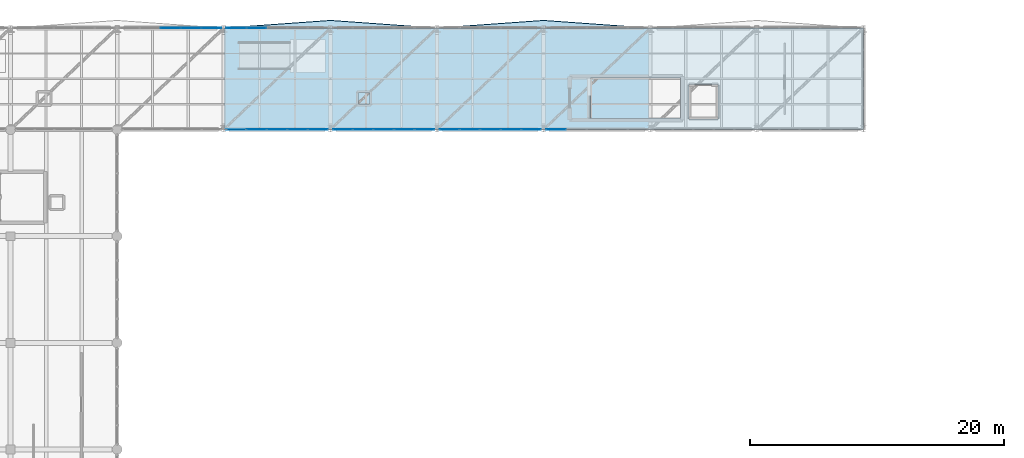
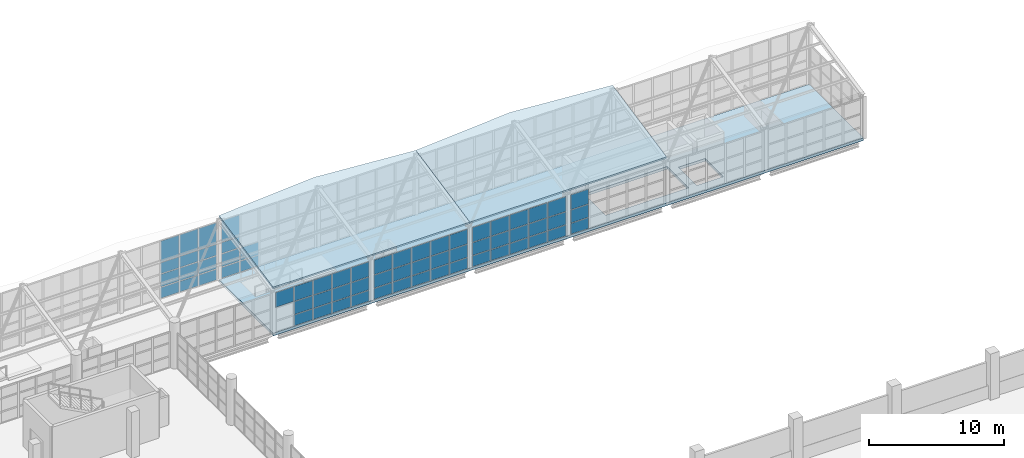
# One storey, part 137 of 177: 64 plates, 3 slabs, 6 elements without a shape of their own.
"""IFC4 building model written with IfcOpenShell, lengths in metres."""

from ifc_helpers import new_model, si_unit, direction, frame, origin, origin_2d, place, context, subcontext, project, spatial, polyline, rectangle, outline, extrude, material, layer, layer_set, type_object, element, aggregate, save


model = new_model("IFC4")

# Units and contexts
model_context = context("Model", 3, precision=1e-05, world=origin(), true_north=direction((0.0, 1.0)))
body_context = subcontext(model_context, "Body", "Model", "MODEL_VIEW")
ifc_project = project(units=[si_unit("LENGTHUNIT", "METRE"), si_unit("AREAUNIT", "SQUARE_METRE"), si_unit("VOLUMEUNIT", "CUBIC_METRE"), si_unit("PLANEANGLEUNIT", "RADIAN"), si_unit("MASSUNIT", "GRAM", prefix="KILO"), si_unit("THERMODYNAMICTEMPERATUREUNIT", "KELVIN"), si_unit("POWERUNIT", "WATT")], contexts=[model_context])

# Site, building, storey
site_placement = place(None, origin())
site = spatial("IfcSite", under=ifc_project, at=site_placement, CompositionType="ELEMENT")
building_placement = place(site_placement, origin())
building = spatial("IfcBuilding", under=site, at=building_placement, Name="Mavoryth Pier Ferry Terminal", CompositionType="ELEMENT")
storey_placement = place(building_placement, frame((0.0, 0.0, 5.43994140625)))
storey = spatial("IfcBuildingStorey", under=building, at=storey_placement, Name="L01", CompositionType="ELEMENT", Elevation=5.43994140625)

# Curtain wall, plates
ifc_material_1 = material(Name="Anodised Aluminium and Solar-Control Low-E Glass", Category="aluminium")
ifc_layer_1 = layer(ifc_material_1, 0.139892578125, Name="Anodised Aluminium and Solar-Control Low-E Glass", Category="aluminium")
ifc_layer_set_1 = layer_set([ifc_layer_1], Name="Anodised Aluminium and Solar-Control Low-E Glass - CW-Gallery-Mod1600")
curtain_wall_type = type_object("IfcCurtainWallType", Name="CW-Gallery-Mod1600", PredefinedType="USERDEFINED", material=ifc_layer_set_1)
curtain_wall_1_placement = place(storey_placement, origin())
curtain_wall_1 = element("IfcCurtainWall", 1, at=curtain_wall_1_placement, inside=storey, type_object=curtain_wall_type, Name="Curtain Wall CW-0122-082", ObjectType="UNITISED CURTAIN WALL", PredefinedType="USERDEFINED")
ifc_material_2 = material(Name="Solar-Control Low-E Laminated Double Glazing", Category="glass")
ifc_layer_2 = layer(ifc_material_2, 0.02392578125, Name="Solar-Control Low-E Laminated Double Glazing", Category="glass")
ifc_layer_set_2 = layer_set([ifc_layer_2], Name="Solar-Control Low-E Laminated Double Glazing - Panel-LowE-DGU-24")
plate_type = type_object("IfcPlateType", Name="Panel-LowE-DGU-24", PredefinedType="CURTAIN_PANEL", material=ifc_layer_set_2)
plate_1_placement = place(storey_placement, frame((99.824951171875, 114.0, 0.06005859375), z_axis=(0.0, 0.0, 1.0), x_axis=(-1.0, 0.0, 0.0)))
plate_1 = element("IfcPlate", 2, at=plate_1_placement, type_object=plate_type, Name="CW05 panel 1.1", PredefinedType="CURTAIN_PANEL", context=body_context, shape_type="SweptSolid", body=[
    extrude(rectangle(XDim=1.530029296875, YDim=0.02392578125, at=origin_2d()), origin(), (0.0, 0.0, 1.0), 0.9599609375),
])
plate_2_placement = place(storey_placement, frame((99.824951171875, 114.0, 1.080078125), z_axis=(0.0, 0.0, 1.0), x_axis=(-1.0, 0.0, 0.0)))
plate_2 = element("IfcPlate", 3, at=plate_2_placement, type_object=plate_type, Name="CW05 panel 1.2", PredefinedType="CURTAIN_PANEL", context=body_context, shape_type="SweptSolid", body=[
    extrude(rectangle(XDim=1.530029296875, YDim=0.02392578125, at=origin_2d()), origin(), (0.0, 0.0, 1.0), 1.139892578125),
])
plate_3_placement = place(storey_placement, frame((99.824951171875, 114.0, 2.2802734375), z_axis=(0.0, 0.0, 1.0), x_axis=(-1.0, 0.0, 0.0)))
plate_3 = element("IfcPlate", 4, at=plate_3_placement, type_object=plate_type, Name="CW05 panel 1.3", PredefinedType="CURTAIN_PANEL", context=body_context, shape_type="SweptSolid", body=[
    extrude(rectangle(XDim=1.530029296875, YDim=0.02392578125, at=origin_2d()), origin(), (0.0, 0.0, 1.0), 0.989990234375),
])
plate_4_placement = place(storey_placement, frame((99.824951171875, 114.0, 3.330078125), z_axis=(0.0, 0.0, 1.0), x_axis=(-1.0, 0.0, 0.0)))
plate_4 = element("IfcPlate", 5, at=plate_4_placement, type_object=plate_type, Name="CW05 panel 1.4", PredefinedType="CURTAIN_PANEL", context=body_context, shape_type="SweptSolid", body=[
    extrude(rectangle(XDim=1.530029296875, YDim=0.02392578125, at=origin_2d()), origin(), (0.0, 0.0, 1.0), 1.897705078125),
])
plate_5_placement = place(storey_placement, frame((98.219970703125, 114.0, 0.06005859375), z_axis=(0.0, 0.0, 1.0), x_axis=(-1.0, 0.0, 0.0)))
plate_5 = element("IfcPlate", 6, at=plate_5_placement, type_object=plate_type, Name="CW05 panel 2.1", PredefinedType="CURTAIN_PANEL", context=body_context, shape_type="SweptSolid", body=[
    extrude(rectangle(XDim=1.56005859375, YDim=0.02392578125, at=origin_2d()), origin(), (0.0, 0.0, 1.0), 0.9599609375),
])
plate_6_placement = place(storey_placement, frame((98.219970703125, 114.0, 1.080078125), z_axis=(0.0, 0.0, 1.0), x_axis=(-1.0, 0.0, 0.0)))
plate_6 = element("IfcPlate", 7, at=plate_6_placement, type_object=plate_type, Name="CW05 panel 2.2", PredefinedType="CURTAIN_PANEL", context=body_context, shape_type="SweptSolid", body=[
    extrude(rectangle(XDim=1.56005859375, YDim=0.02392578125, at=origin_2d()), origin(), (0.0, 0.0, 1.0), 1.139892578125),
])
plate_7_placement = place(storey_placement, frame((98.219970703125, 114.0, 2.2802734375), z_axis=(0.0, 0.0, 1.0), x_axis=(-1.0, 0.0, 0.0)))
plate_7 = element("IfcPlate", 8, at=plate_7_placement, type_object=plate_type, Name="CW05 panel 2.3", PredefinedType="CURTAIN_PANEL", context=body_context, shape_type="SweptSolid", body=[
    extrude(rectangle(XDim=1.56005859375, YDim=0.02392578125, at=origin_2d()), origin(), (0.0, 0.0, 1.0), 0.989990234375),
])
plate_8_placement = place(storey_placement, frame((98.219970703125, 114.0, 3.330078125), z_axis=(0.0, 0.0, 1.0), x_axis=(-1.0, 0.0, 0.0)))
plate_8 = element("IfcPlate", 9, at=plate_8_placement, type_object=plate_type, Name="CW05 panel 2.4", PredefinedType="CURTAIN_PANEL", context=body_context, shape_type="SweptSolid", body=[
    extrude(rectangle(XDim=1.56005859375, YDim=0.02392578125, at=origin_2d()), origin(), (0.0, 0.0, 1.0), 1.897705078125),
])
plate_9_placement = place(storey_placement, frame((96.60009765625, 114.0, 0.06005859375), z_axis=(0.0, 0.0, 1.0), x_axis=(-1.0, 0.0, 0.0)))
plate_9 = element("IfcPlate", 10, at=plate_9_placement, type_object=plate_type, Name="CW05 panel 3.1", PredefinedType="CURTAIN_PANEL", context=body_context, shape_type="SweptSolid", body=[
    extrude(rectangle(XDim=1.56005859375, YDim=0.02392578125, at=origin_2d()), origin(), (0.0, 0.0, 1.0), 0.9599609375),
])
plate_10_placement = place(storey_placement, frame((96.60009765625, 114.0, 1.080078125), z_axis=(0.0, 0.0, 1.0), x_axis=(-1.0, 0.0, 0.0)))
plate_10 = element("IfcPlate", 11, at=plate_10_placement, type_object=plate_type, Name="CW05 panel 3.2", PredefinedType="CURTAIN_PANEL", context=body_context, shape_type="SweptSolid", body=[
    extrude(rectangle(XDim=1.56005859375, YDim=0.02392578125, at=origin_2d()), origin(), (0.0, 0.0, 1.0), 1.139892578125),
])
plate_11_placement = place(storey_placement, frame((96.60009765625, 114.0, 2.2802734375), z_axis=(0.0, 0.0, 1.0), x_axis=(-1.0, 0.0, 0.0)))
plate_11 = element("IfcPlate", 12, at=plate_11_placement, type_object=plate_type, Name="CW05 panel 3.3", PredefinedType="CURTAIN_PANEL", context=body_context, shape_type="SweptSolid", body=[
    extrude(rectangle(XDim=1.56005859375, YDim=0.02392578125, at=origin_2d()), origin(), (0.0, 0.0, 1.0), 0.989990234375),
])
plate_12_placement = place(storey_placement, frame((96.60009765625, 114.0, 3.330078125), z_axis=(0.0, 0.0, 1.0), x_axis=(-1.0, 0.0, 0.0)))
plate_12 = element("IfcPlate", 13, at=plate_12_placement, type_object=plate_type, Name="CW05 panel 3.4", PredefinedType="CURTAIN_PANEL", context=body_context, shape_type="SweptSolid", body=[
    extrude(rectangle(XDim=1.56005859375, YDim=0.02392578125, at=origin_2d()), origin(), (0.0, 0.0, 1.0), 1.897705078125),
])
aggregate(curtain_wall_1, [plate_1, plate_2, plate_3, plate_4, plate_5, plate_6, plate_7, plate_8, plate_9, plate_10, plate_11, plate_12])

curtain_wall_2_placement = place(storey_placement, origin())
curtain_wall_2 = element("IfcCurtainWall", 14, at=curtain_wall_2_placement, inside=storey, type_object=curtain_wall_type, Name="Curtain Wall CW-0122-084", ObjectType="UNITISED CURTAIN WALL", PredefinedType="USERDEFINED")
plate_13_placement = place(storey_placement, frame((103.3798828125, 114.0, 0.06005859375), z_axis=(0.0, 0.0, 1.0), x_axis=(-1.0, 0.0, 0.0)))
plate_13 = element("IfcPlate", 15, at=plate_13_placement, type_object=plate_type, Name="CW05 panel 4.1", PredefinedType="CURTAIN_PANEL", context=body_context, shape_type="SweptSolid", body=[
    extrude(rectangle(XDim=1.56005859375, YDim=0.02392578125, at=origin_2d()), origin(), (0.0, 0.0, 1.0), 0.9599609375),
])
plate_14_placement = place(storey_placement, frame((103.3798828125, 114.0, 1.080078125), z_axis=(0.0, 0.0, 1.0), x_axis=(-1.0, 0.0, 0.0)))
plate_14 = element("IfcPlate", 16, at=plate_14_placement, type_object=plate_type, Name="CW05 panel 4.2", PredefinedType="CURTAIN_PANEL", context=body_context, shape_type="SweptSolid", body=[
    extrude(rectangle(XDim=1.56005859375, YDim=0.02392578125, at=origin_2d()), origin(), (0.0, 0.0, 1.0), 1.139892578125),
])
plate_15_placement = place(storey_placement, frame((101.77490234375, 114.0, 0.06005859375), z_axis=(0.0, 0.0, 1.0), x_axis=(-1.0, 0.0, 0.0)))
plate_15 = element("IfcPlate", 17, at=plate_15_placement, type_object=plate_type, Name="CW05 panel 5.1", PredefinedType="CURTAIN_PANEL", context=body_context, shape_type="SweptSolid", body=[
    extrude(rectangle(XDim=1.530029296875, YDim=0.02392578125, at=origin_2d()), origin(), (0.0, 0.0, 1.0), 0.9599609375),
])
plate_16_placement = place(storey_placement, frame((101.77490234375, 114.0, 1.080078125), z_axis=(0.0, 0.0, 1.0), x_axis=(-1.0, 0.0, 0.0)))
plate_16 = element("IfcPlate", 18, at=plate_16_placement, type_object=plate_type, Name="CW05 panel 5.2", PredefinedType="CURTAIN_PANEL", context=body_context, shape_type="SweptSolid", body=[
    extrude(rectangle(XDim=1.530029296875, YDim=0.02392578125, at=origin_2d()), origin(), (0.0, 0.0, 1.0), 1.139892578125),
])
plate_17_placement = place(storey_placement, frame((101.77490234375, 114.0, 2.2802734375), z_axis=(0.0, 0.0, 1.0), x_axis=(-1.0, 0.0, 0.0)))
plate_17 = element("IfcPlate", 19, at=plate_17_placement, type_object=plate_type, Name="CW05 panel 5.3", PredefinedType="CURTAIN_PANEL", context=body_context, shape_type="SweptSolid", body=[
    extrude(rectangle(XDim=1.530029296875, YDim=0.02392578125, at=origin_2d()), origin(), (0.0, 0.0, 1.0), 0.989990234375),
])
plate_18_placement = place(storey_placement, frame((101.77490234375, 114.0, 3.330078125), z_axis=(0.0, 0.0, 1.0), x_axis=(-1.0, 0.0, 0.0)))
plate_18 = element("IfcPlate", 20, at=plate_18_placement, type_object=plate_type, Name="CW05 panel 5.4", PredefinedType="CURTAIN_PANEL", context=body_context, shape_type="SweptSolid", body=[
    extrude(rectangle(XDim=1.530029296875, YDim=0.02392578125, at=origin_2d()), origin(), (0.0, 0.0, 1.0), 1.897705078125),
])
aggregate(curtain_wall_2, [plate_13, plate_14, plate_15, plate_16, plate_17, plate_18])

curtain_wall_3_placement = place(storey_placement, origin())
curtain_wall_3 = element("IfcCurtainWall", 21, at=curtain_wall_3_placement, inside=storey, type_object=curtain_wall_type, Name="Curtain Wall CW-0122-085", ObjectType="UNITISED CURTAIN WALL", PredefinedType="USERDEFINED")
plate_19_placement = place(storey_placement, frame((101.77490234375, 106.0, 2.27978515625), z_axis=(0.0, 0.0, 1.0), x_axis=(1.0, 0.0, 0.0)))
plate_19 = element("IfcPlate", 22, at=plate_19_placement, type_object=plate_type, Name="CW05 panel 1.3", PredefinedType="CURTAIN_PANEL", context=body_context, shape_type="SweptSolid", body=[
    extrude(rectangle(XDim=1.530029296875, YDim=0.02392578125, at=origin_2d()), origin(), (0.0, 0.0, 1.0), 1.320068359375),
])
plate_20_placement = place(storey_placement, frame((103.3798828125, 106.0, 0.06005859375), z_axis=(0.0, 0.0, 1.0), x_axis=(1.0, 0.0, 0.0)))
plate_20 = element("IfcPlate", 23, at=plate_20_placement, type_object=plate_type, Name="CW05 panel 2.1", PredefinedType="CURTAIN_PANEL", context=body_context, shape_type="SweptSolid", body=[
    extrude(rectangle(XDim=1.56005859375, YDim=0.02392578125, at=origin_2d()), origin(), (0.0, 0.0, 1.0), 0.9599609375),
])
plate_21_placement = place(storey_placement, frame((103.3798828125, 106.0, 1.080078125), z_axis=(0.0, 0.0, 1.0), x_axis=(1.0, 0.0, 0.0)))
plate_21 = element("IfcPlate", 24, at=plate_21_placement, type_object=plate_type, Name="CW05 panel 2.2", PredefinedType="CURTAIN_PANEL", context=body_context, shape_type="SweptSolid", body=[
    extrude(rectangle(XDim=1.56005859375, YDim=0.02392578125, at=origin_2d()), origin(), (0.0, 0.0, 1.0), 1.139892578125),
])
plate_22_placement = place(storey_placement, frame((103.3798828125, 106.0, 2.27978515625), z_axis=(0.0, 0.0, 1.0), x_axis=(1.0, 0.0, 0.0)))
plate_22 = element("IfcPlate", 25, at=plate_22_placement, type_object=plate_type, Name="CW05 panel 2.3", PredefinedType="CURTAIN_PANEL", context=body_context, shape_type="SweptSolid", body=[
    extrude(rectangle(XDim=1.56005859375, YDim=0.02392578125, at=origin_2d()), origin(), (0.0, 0.0, 1.0), 1.320068359375),
])
plate_23_placement = place(storey_placement, frame((105.0, 106.0, 0.06005859375), z_axis=(0.0, 0.0, 1.0), x_axis=(1.0, 0.0, 0.0)))
plate_23 = element("IfcPlate", 26, at=plate_23_placement, type_object=plate_type, Name="CW05 panel 3.1", PredefinedType="CURTAIN_PANEL", context=body_context, shape_type="SweptSolid", body=[
    extrude(rectangle(XDim=1.56005859375, YDim=0.02392578125, at=origin_2d()), origin(), (0.0, 0.0, 1.0), 0.9599609375),
])
plate_24_placement = place(storey_placement, frame((105.0, 106.0, 1.080078125), z_axis=(0.0, 0.0, 1.0), x_axis=(1.0, 0.0, 0.0)))
plate_24 = element("IfcPlate", 27, at=plate_24_placement, type_object=plate_type, Name="CW05 panel 3.2", PredefinedType="CURTAIN_PANEL", context=body_context, shape_type="SweptSolid", body=[
    extrude(rectangle(XDim=1.56005859375, YDim=0.02392578125, at=origin_2d()), origin(), (0.0, 0.0, 1.0), 1.139892578125),
])
plate_25_placement = place(storey_placement, frame((105.0, 106.0, 2.27978515625), z_axis=(0.0, 0.0, 1.0), x_axis=(1.0, 0.0, 0.0)))
plate_25 = element("IfcPlate", 28, at=plate_25_placement, type_object=plate_type, Name="CW05 panel 3.3", PredefinedType="CURTAIN_PANEL", context=body_context, shape_type="SweptSolid", body=[
    extrude(rectangle(XDim=1.56005859375, YDim=0.02392578125, at=origin_2d()), origin(), (0.0, 0.0, 1.0), 1.320068359375),
])
plate_26_placement = place(storey_placement, frame((106.6201171875, 106.0, 0.06005859375), z_axis=(0.0, 0.0, 1.0), x_axis=(1.0, 0.0, 0.0)))
plate_26 = element("IfcPlate", 29, at=plate_26_placement, type_object=plate_type, Name="CW05 panel 4.1", PredefinedType="CURTAIN_PANEL", context=body_context, shape_type="SweptSolid", body=[
    extrude(rectangle(XDim=1.56005859375, YDim=0.02392578125, at=origin_2d()), origin(), (0.0, 0.0, 1.0), 0.9599609375),
])
plate_27_placement = place(storey_placement, frame((106.6201171875, 106.0, 1.080078125), z_axis=(0.0, 0.0, 1.0), x_axis=(1.0, 0.0, 0.0)))
plate_27 = element("IfcPlate", 30, at=plate_27_placement, type_object=plate_type, Name="CW05 panel 4.2", PredefinedType="CURTAIN_PANEL", context=body_context, shape_type="SweptSolid", body=[
    extrude(rectangle(XDim=1.56005859375, YDim=0.02392578125, at=origin_2d()), origin(), (0.0, 0.0, 1.0), 1.139892578125),
])
plate_28_placement = place(storey_placement, frame((106.6201171875, 106.0, 2.27978515625), z_axis=(0.0, 0.0, 1.0), x_axis=(1.0, 0.0, 0.0)))
plate_28 = element("IfcPlate", 31, at=plate_28_placement, type_object=plate_type, Name="CW05 panel 4.3", PredefinedType="CURTAIN_PANEL", context=body_context, shape_type="SweptSolid", body=[
    extrude(rectangle(XDim=1.56005859375, YDim=0.02392578125, at=origin_2d()), origin(), (0.0, 0.0, 1.0), 1.320068359375),
])
plate_29_placement = place(storey_placement, frame((108.22509765625, 106.0, 0.06005859375), z_axis=(0.0, 0.0, 1.0), x_axis=(1.0, 0.0, 0.0)))
plate_29 = element("IfcPlate", 32, at=plate_29_placement, type_object=plate_type, Name="CW05 panel 5.1", PredefinedType="CURTAIN_PANEL", context=body_context, shape_type="SweptSolid", body=[
    extrude(rectangle(XDim=1.530029296875, YDim=0.02392578125, at=origin_2d()), origin(), (0.0, 0.0, 1.0), 0.9599609375),
])
plate_30_placement = place(storey_placement, frame((108.22509765625, 106.0, 1.080078125), z_axis=(0.0, 0.0, 1.0), x_axis=(1.0, 0.0, 0.0)))
plate_30 = element("IfcPlate", 33, at=plate_30_placement, type_object=plate_type, Name="CW05 panel 5.2", PredefinedType="CURTAIN_PANEL", context=body_context, shape_type="SweptSolid", body=[
    extrude(rectangle(XDim=1.530029296875, YDim=0.02392578125, at=origin_2d()), origin(), (0.0, 0.0, 1.0), 1.139892578125),
])
plate_31_placement = place(storey_placement, frame((108.22509765625, 106.0, 2.27978515625), z_axis=(0.0, 0.0, 1.0), x_axis=(1.0, 0.0, 0.0)))
plate_31 = element("IfcPlate", 34, at=plate_31_placement, type_object=plate_type, Name="CW05 panel 5.3", PredefinedType="CURTAIN_PANEL", context=body_context, shape_type="SweptSolid", body=[
    extrude(rectangle(XDim=1.530029296875, YDim=0.02392578125, at=origin_2d()), origin(), (0.0, 0.0, 1.0), 1.320068359375),
])
aggregate(curtain_wall_3, [plate_19, plate_20, plate_21, plate_22, plate_23, plate_24, plate_25, plate_26, plate_27, plate_28, plate_29, plate_30, plate_31])

curtain_wall_4_placement = place(storey_placement, origin())
curtain_wall_4 = element("IfcCurtainWall", 35, at=curtain_wall_4_placement, inside=storey, type_object=curtain_wall_type, Name="Curtain Wall CW-0122-087", ObjectType="UNITISED CURTAIN WALL", PredefinedType="USERDEFINED")
plate_32_placement = place(storey_placement, frame((110.175048828125, 106.0, 0.06005859375), z_axis=(0.0, 0.0, 1.0), x_axis=(1.0, 0.0, 0.0)))
plate_32 = element("IfcPlate", 36, at=plate_32_placement, type_object=plate_type, Name="CW05 panel 1.1", PredefinedType="CURTAIN_PANEL", context=body_context, shape_type="SweptSolid", body=[
    extrude(rectangle(XDim=1.530029296875, YDim=0.02392578125, at=origin_2d()), origin(), (0.0, 0.0, 1.0), 0.9599609375),
])
plate_33_placement = place(storey_placement, frame((110.175048828125, 106.0, 1.080078125), z_axis=(0.0, 0.0, 1.0), x_axis=(1.0, 0.0, 0.0)))
plate_33 = element("IfcPlate", 37, at=plate_33_placement, type_object=plate_type, Name="CW05 panel 1.2", PredefinedType="CURTAIN_PANEL", context=body_context, shape_type="SweptSolid", body=[
    extrude(rectangle(XDim=1.530029296875, YDim=0.02392578125, at=origin_2d()), origin(), (0.0, 0.0, 1.0), 1.139892578125),
])
plate_34_placement = place(storey_placement, frame((110.175048828125, 106.0, 2.27978515625), z_axis=(0.0, 0.0, 1.0), x_axis=(1.0, 0.0, 0.0)))
plate_34 = element("IfcPlate", 38, at=plate_34_placement, type_object=plate_type, Name="CW05 panel 1.3", PredefinedType="CURTAIN_PANEL", context=body_context, shape_type="SweptSolid", body=[
    extrude(rectangle(XDim=1.530029296875, YDim=0.02392578125, at=origin_2d()), origin(), (0.0, 0.0, 1.0), 1.320068359375),
])
plate_35_placement = place(storey_placement, frame((111.780029296875, 106.0, 0.06005859375), z_axis=(0.0, 0.0, 1.0), x_axis=(1.0, 0.0, 0.0)))
plate_35 = element("IfcPlate", 39, at=plate_35_placement, type_object=plate_type, Name="CW05 panel 2.1", PredefinedType="CURTAIN_PANEL", context=body_context, shape_type="SweptSolid", body=[
    extrude(rectangle(XDim=1.56005859375, YDim=0.02392578125, at=origin_2d()), origin(), (0.0, 0.0, 1.0), 0.9599609375),
])
plate_36_placement = place(storey_placement, frame((111.780029296875, 106.0, 1.080078125), z_axis=(0.0, 0.0, 1.0), x_axis=(1.0, 0.0, 0.0)))
plate_36 = element("IfcPlate", 40, at=plate_36_placement, type_object=plate_type, Name="CW05 panel 2.2", PredefinedType="CURTAIN_PANEL", context=body_context, shape_type="SweptSolid", body=[
    extrude(rectangle(XDim=1.56005859375, YDim=0.02392578125, at=origin_2d()), origin(), (0.0, 0.0, 1.0), 1.139892578125),
])
plate_37_placement = place(storey_placement, frame((111.780029296875, 106.0, 2.27978515625), z_axis=(0.0, 0.0, 1.0), x_axis=(1.0, 0.0, 0.0)))
plate_37 = element("IfcPlate", 41, at=plate_37_placement, type_object=plate_type, Name="CW05 panel 2.3", PredefinedType="CURTAIN_PANEL", context=body_context, shape_type="SweptSolid", body=[
    extrude(rectangle(XDim=1.56005859375, YDim=0.02392578125, at=origin_2d()), origin(), (0.0, 0.0, 1.0), 1.320068359375),
])
plate_38_placement = place(storey_placement, frame((113.39990234375, 106.0, 0.06005859375), z_axis=(0.0, 0.0, 1.0), x_axis=(1.0, 0.0, 0.0)))
plate_38 = element("IfcPlate", 42, at=plate_38_placement, type_object=plate_type, Name="CW05 panel 3.1", PredefinedType="CURTAIN_PANEL", context=body_context, shape_type="SweptSolid", body=[
    extrude(rectangle(XDim=1.56005859375, YDim=0.02392578125, at=origin_2d()), origin(), (0.0, 0.0, 1.0), 0.9599609375),
])
plate_39_placement = place(storey_placement, frame((113.39990234375, 106.0, 1.080078125), z_axis=(0.0, 0.0, 1.0), x_axis=(1.0, 0.0, 0.0)))
plate_39 = element("IfcPlate", 43, at=plate_39_placement, type_object=plate_type, Name="CW05 panel 3.2", PredefinedType="CURTAIN_PANEL", context=body_context, shape_type="SweptSolid", body=[
    extrude(rectangle(XDim=1.56005859375, YDim=0.02392578125, at=origin_2d()), origin(), (0.0, 0.0, 1.0), 1.139892578125),
])
plate_40_placement = place(storey_placement, frame((113.39990234375, 106.0, 2.27978515625), z_axis=(0.0, 0.0, 1.0), x_axis=(1.0, 0.0, 0.0)))
plate_40 = element("IfcPlate", 44, at=plate_40_placement, type_object=plate_type, Name="CW05 panel 3.3", PredefinedType="CURTAIN_PANEL", context=body_context, shape_type="SweptSolid", body=[
    extrude(rectangle(XDim=1.56005859375, YDim=0.02392578125, at=origin_2d()), origin(), (0.0, 0.0, 1.0), 1.320068359375),
])
plate_41_placement = place(storey_placement, frame((115.02001953125, 106.0, 0.06005859375), z_axis=(0.0, 0.0, 1.0), x_axis=(1.0, 0.0, 0.0)))
plate_41 = element("IfcPlate", 45, at=plate_41_placement, type_object=plate_type, Name="CW05 panel 4.1", PredefinedType="CURTAIN_PANEL", context=body_context, shape_type="SweptSolid", body=[
    extrude(rectangle(XDim=1.56005859375, YDim=0.02392578125, at=origin_2d()), origin(), (0.0, 0.0, 1.0), 0.9599609375),
])
plate_42_placement = place(storey_placement, frame((115.02001953125, 106.0, 1.080078125), z_axis=(0.0, 0.0, 1.0), x_axis=(1.0, 0.0, 0.0)))
plate_42 = element("IfcPlate", 46, at=plate_42_placement, type_object=plate_type, Name="CW05 panel 4.2", PredefinedType="CURTAIN_PANEL", context=body_context, shape_type="SweptSolid", body=[
    extrude(rectangle(XDim=1.56005859375, YDim=0.02392578125, at=origin_2d()), origin(), (0.0, 0.0, 1.0), 1.139892578125),
])
plate_43_placement = place(storey_placement, frame((115.02001953125, 106.0, 2.27978515625), z_axis=(0.0, 0.0, 1.0), x_axis=(1.0, 0.0, 0.0)))
plate_43 = element("IfcPlate", 47, at=plate_43_placement, type_object=plate_type, Name="CW05 panel 4.3", PredefinedType="CURTAIN_PANEL", context=body_context, shape_type="SweptSolid", body=[
    extrude(rectangle(XDim=1.56005859375, YDim=0.02392578125, at=origin_2d()), origin(), (0.0, 0.0, 1.0), 1.320068359375),
])
plate_44_placement = place(storey_placement, frame((116.625, 106.0, 0.06005859375), z_axis=(0.0, 0.0, 1.0), x_axis=(1.0, 0.0, 0.0)))
plate_44 = element("IfcPlate", 48, at=plate_44_placement, type_object=plate_type, Name="CW05 panel 5.1", PredefinedType="CURTAIN_PANEL", context=body_context, shape_type="SweptSolid", body=[
    extrude(rectangle(XDim=1.530029296875, YDim=0.02392578125, at=origin_2d()), origin(), (0.0, 0.0, 1.0), 0.9599609375),
])
plate_45_placement = place(storey_placement, frame((116.625, 106.0, 1.080078125), z_axis=(0.0, 0.0, 1.0), x_axis=(1.0, 0.0, 0.0)))
plate_45 = element("IfcPlate", 49, at=plate_45_placement, type_object=plate_type, Name="CW05 panel 5.2", PredefinedType="CURTAIN_PANEL", context=body_context, shape_type="SweptSolid", body=[
    extrude(rectangle(XDim=1.530029296875, YDim=0.02392578125, at=origin_2d()), origin(), (0.0, 0.0, 1.0), 1.139892578125),
])
plate_46_placement = place(storey_placement, frame((116.625, 106.0, 2.27978515625), z_axis=(0.0, 0.0, 1.0), x_axis=(1.0, 0.0, 0.0)))
plate_46 = element("IfcPlate", 50, at=plate_46_placement, type_object=plate_type, Name="CW05 panel 5.3", PredefinedType="CURTAIN_PANEL", context=body_context, shape_type="SweptSolid", body=[
    extrude(rectangle(XDim=1.530029296875, YDim=0.02392578125, at=origin_2d()), origin(), (0.0, 0.0, 1.0), 1.320068359375),
])
aggregate(curtain_wall_4, [plate_32, plate_33, plate_34, plate_35, plate_36, plate_37, plate_38, plate_39, plate_40, plate_41, plate_42, plate_43, plate_44, plate_45, plate_46])

curtain_wall_5_placement = place(storey_placement, origin())
curtain_wall_5 = element("IfcCurtainWall", 51, at=curtain_wall_5_placement, inside=storey, type_object=curtain_wall_type, Name="Curtain Wall CW-0122-089", ObjectType="UNITISED CURTAIN WALL", PredefinedType="USERDEFINED")
plate_47_placement = place(storey_placement, frame((118.574951171875, 106.0, 0.06005859375), z_axis=(0.0, 0.0, 1.0), x_axis=(1.0, 0.0, 0.0)))
plate_47 = element("IfcPlate", 52, at=plate_47_placement, type_object=plate_type, Name="CW05 panel 1.1", PredefinedType="CURTAIN_PANEL", context=body_context, shape_type="SweptSolid", body=[
    extrude(rectangle(XDim=1.530029296875, YDim=0.02392578125, at=origin_2d()), origin(), (0.0, 0.0, 1.0), 0.9599609375),
])
plate_48_placement = place(storey_placement, frame((118.574951171875, 106.0, 1.080078125), z_axis=(0.0, 0.0, 1.0), x_axis=(1.0, 0.0, 0.0)))
plate_48 = element("IfcPlate", 53, at=plate_48_placement, type_object=plate_type, Name="CW05 panel 1.2", PredefinedType="CURTAIN_PANEL", context=body_context, shape_type="SweptSolid", body=[
    extrude(rectangle(XDim=1.530029296875, YDim=0.02392578125, at=origin_2d()), origin(), (0.0, 0.0, 1.0), 1.139892578125),
])
plate_49_placement = place(storey_placement, frame((118.574951171875, 106.0, 2.27978515625), z_axis=(0.0, 0.0, 1.0), x_axis=(1.0, 0.0, 0.0)))
plate_49 = element("IfcPlate", 54, at=plate_49_placement, type_object=plate_type, Name="CW05 panel 1.3", PredefinedType="CURTAIN_PANEL", context=body_context, shape_type="SweptSolid", body=[
    extrude(rectangle(XDim=1.530029296875, YDim=0.02392578125, at=origin_2d()), origin(), (0.0, 0.0, 1.0), 1.320068359375),
])
plate_50_placement = place(storey_placement, frame((120.179931640625, 106.0, 0.06005859375), z_axis=(0.0, 0.0, 1.0), x_axis=(1.0, 0.0, 0.0)))
plate_50 = element("IfcPlate", 55, at=plate_50_placement, type_object=plate_type, Name="CW05 panel 2.1", PredefinedType="CURTAIN_PANEL", context=body_context, shape_type="SweptSolid", body=[
    extrude(rectangle(XDim=1.56005859375, YDim=0.02392578125, at=origin_2d()), origin(), (0.0, 0.0, 1.0), 0.9599609375),
])
plate_51_placement = place(storey_placement, frame((120.179931640625, 106.0, 1.080078125), z_axis=(0.0, 0.0, 1.0), x_axis=(1.0, 0.0, 0.0)))
plate_51 = element("IfcPlate", 56, at=plate_51_placement, type_object=plate_type, Name="CW05 panel 2.2", PredefinedType="CURTAIN_PANEL", context=body_context, shape_type="SweptSolid", body=[
    extrude(rectangle(XDim=1.56005859375, YDim=0.02392578125, at=origin_2d()), origin(), (0.0, 0.0, 1.0), 1.139892578125),
])
plate_52_placement = place(storey_placement, frame((120.179931640625, 106.0, 2.27978515625), z_axis=(0.0, 0.0, 1.0), x_axis=(1.0, 0.0, 0.0)))
plate_52 = element("IfcPlate", 57, at=plate_52_placement, type_object=plate_type, Name="CW05 panel 2.3", PredefinedType="CURTAIN_PANEL", context=body_context, shape_type="SweptSolid", body=[
    extrude(rectangle(XDim=1.56005859375, YDim=0.02392578125, at=origin_2d()), origin(), (0.0, 0.0, 1.0), 1.320068359375),
])
plate_53_placement = place(storey_placement, frame((121.800048828125, 106.0, 0.06005859375), z_axis=(0.0, 0.0, 1.0), x_axis=(1.0, 0.0, 0.0)))
plate_53 = element("IfcPlate", 58, at=plate_53_placement, type_object=plate_type, Name="CW05 panel 3.1", PredefinedType="CURTAIN_PANEL", context=body_context, shape_type="SweptSolid", body=[
    extrude(rectangle(XDim=1.56005859375, YDim=0.02392578125, at=origin_2d()), origin(), (0.0, 0.0, 1.0), 0.9599609375),
])
plate_54_placement = place(storey_placement, frame((121.800048828125, 106.0, 1.080078125), z_axis=(0.0, 0.0, 1.0), x_axis=(1.0, 0.0, 0.0)))
plate_54 = element("IfcPlate", 59, at=plate_54_placement, type_object=plate_type, Name="CW05 panel 3.2", PredefinedType="CURTAIN_PANEL", context=body_context, shape_type="SweptSolid", body=[
    extrude(rectangle(XDim=1.56005859375, YDim=0.02392578125, at=origin_2d()), origin(), (0.0, 0.0, 1.0), 1.139892578125),
])
plate_55_placement = place(storey_placement, frame((121.800048828125, 106.0, 2.27978515625), z_axis=(0.0, 0.0, 1.0), x_axis=(1.0, 0.0, 0.0)))
plate_55 = element("IfcPlate", 60, at=plate_55_placement, type_object=plate_type, Name="CW05 panel 3.3", PredefinedType="CURTAIN_PANEL", context=body_context, shape_type="SweptSolid", body=[
    extrude(rectangle(XDim=1.56005859375, YDim=0.02392578125, at=origin_2d()), origin(), (0.0, 0.0, 1.0), 1.320068359375),
])
plate_56_placement = place(storey_placement, frame((123.419921875, 106.0, 0.06005859375), z_axis=(0.0, 0.0, 1.0), x_axis=(1.0, 0.0, 0.0)))
plate_56 = element("IfcPlate", 61, at=plate_56_placement, type_object=plate_type, Name="CW05 panel 4.1", PredefinedType="CURTAIN_PANEL", context=body_context, shape_type="SweptSolid", body=[
    extrude(rectangle(XDim=1.56005859375, YDim=0.02392578125, at=origin_2d()), origin(), (0.0, 0.0, 1.0), 0.9599609375),
])
plate_57_placement = place(storey_placement, frame((123.419921875, 106.0, 1.080078125), z_axis=(0.0, 0.0, 1.0), x_axis=(1.0, 0.0, 0.0)))
plate_57 = element("IfcPlate", 62, at=plate_57_placement, type_object=plate_type, Name="CW05 panel 4.2", PredefinedType="CURTAIN_PANEL", context=body_context, shape_type="SweptSolid", body=[
    extrude(rectangle(XDim=1.56005859375, YDim=0.02392578125, at=origin_2d()), origin(), (0.0, 0.0, 1.0), 1.139892578125),
])
plate_58_placement = place(storey_placement, frame((123.419921875, 106.0, 2.27978515625), z_axis=(0.0, 0.0, 1.0), x_axis=(1.0, 0.0, 0.0)))
plate_58 = element("IfcPlate", 63, at=plate_58_placement, type_object=plate_type, Name="CW05 panel 4.3", PredefinedType="CURTAIN_PANEL", context=body_context, shape_type="SweptSolid", body=[
    extrude(rectangle(XDim=1.56005859375, YDim=0.02392578125, at=origin_2d()), origin(), (0.0, 0.0, 1.0), 1.320068359375),
])
plate_59_placement = place(storey_placement, frame((125.02490234375, 106.0, 0.06005859375), z_axis=(0.0, 0.0, 1.0), x_axis=(1.0, 0.0, 0.0)))
plate_59 = element("IfcPlate", 64, at=plate_59_placement, type_object=plate_type, Name="CW05 panel 5.1", PredefinedType="CURTAIN_PANEL", context=body_context, shape_type="SweptSolid", body=[
    extrude(rectangle(XDim=1.530029296875, YDim=0.02392578125, at=origin_2d()), origin(), (0.0, 0.0, 1.0), 0.9599609375),
])
plate_60_placement = place(storey_placement, frame((125.02490234375, 106.0, 1.080078125), z_axis=(0.0, 0.0, 1.0), x_axis=(1.0, 0.0, 0.0)))
plate_60 = element("IfcPlate", 65, at=plate_60_placement, type_object=plate_type, Name="CW05 panel 5.2", PredefinedType="CURTAIN_PANEL", context=body_context, shape_type="SweptSolid", body=[
    extrude(rectangle(XDim=1.530029296875, YDim=0.02392578125, at=origin_2d()), origin(), (0.0, 0.0, 1.0), 1.139892578125),
])
plate_61_placement = place(storey_placement, frame((125.02490234375, 106.0, 2.27978515625), z_axis=(0.0, 0.0, 1.0), x_axis=(1.0, 0.0, 0.0)))
plate_61 = element("IfcPlate", 66, at=plate_61_placement, type_object=plate_type, Name="CW05 panel 5.3", PredefinedType="CURTAIN_PANEL", context=body_context, shape_type="SweptSolid", body=[
    extrude(rectangle(XDim=1.530029296875, YDim=0.02392578125, at=origin_2d()), origin(), (0.0, 0.0, 1.0), 1.320068359375),
])
aggregate(curtain_wall_5, [plate_47, plate_48, plate_49, plate_50, plate_51, plate_52, plate_53, plate_54, plate_55, plate_56, plate_57, plate_58, plate_59, plate_60, plate_61])

curtain_wall_6_placement = place(storey_placement, origin())
curtain_wall_6 = element("IfcCurtainWall", 67, at=curtain_wall_6_placement, inside=storey, type_object=curtain_wall_type, Name="Curtain Wall CW-0122-091", ObjectType="UNITISED CURTAIN WALL", PredefinedType="USERDEFINED")
plate_62_placement = place(storey_placement, frame((126.97509765625, 106.0, 0.06005859375), z_axis=(0.0, 0.0, 1.0), x_axis=(1.0, 0.0, 0.0)))
plate_62 = element("IfcPlate", 68, at=plate_62_placement, type_object=plate_type, Name="CW05 panel 1.1", PredefinedType="CURTAIN_PANEL", context=body_context, shape_type="SweptSolid", body=[
    extrude(rectangle(XDim=1.530029296875, YDim=0.02392578125, at=origin_2d()), origin(), (0.0, 0.0, 1.0), 0.9599609375),
])
plate_63_placement = place(storey_placement, frame((126.97509765625, 106.0, 1.080078125), z_axis=(0.0, 0.0, 1.0), x_axis=(1.0, 0.0, 0.0)))
plate_63 = element("IfcPlate", 69, at=plate_63_placement, type_object=plate_type, Name="CW05 panel 1.2", PredefinedType="CURTAIN_PANEL", context=body_context, shape_type="SweptSolid", body=[
    extrude(rectangle(XDim=1.530029296875, YDim=0.02392578125, at=origin_2d()), origin(), (0.0, 0.0, 1.0), 1.139892578125),
])
plate_64_placement = place(storey_placement, frame((126.97509765625, 106.0, 2.27978515625), z_axis=(0.0, 0.0, 1.0), x_axis=(1.0, 0.0, 0.0)))
plate_64 = element("IfcPlate", 70, at=plate_64_placement, type_object=plate_type, Name="CW05 panel 1.3", PredefinedType="CURTAIN_PANEL", context=body_context, shape_type="SweptSolid", body=[
    extrude(rectangle(XDim=1.530029296875, YDim=0.02392578125, at=origin_2d()), origin(), (0.0, 0.0, 1.0), 1.320068359375),
])
aggregate(curtain_wall_6, [plate_62, plate_63, plate_64])

# Slabs
ifc_material_3 = material(Name="Concrete C35/45", Category="concrete")
ifc_layer_3 = layer(ifc_material_3, 0.239990234375, Name="Concrete C35/45", Category="concrete")
ifc_layer_set_3 = layer_set([ifc_layer_3], Name="Concrete C35/45 - Slab-Floor-Bridge-240")
slab_type_1 = type_object("IfcSlabType", Name="Slab-Floor-Bridge-240", PredefinedType="FLOOR", material=ifc_layer_set_3)
slab_1_placement = place(storey_placement, frame((0.0, 0.0, -0.239990234375)))
element("IfcSlab", 71, at=slab_1_placement, inside=storey, type_object=slab_type_1, Name="Slab SLB-V3E-L01", PredefinedType="FLOOR", context=body_context, shape_type="SweptSolid", body=[
    extrude(outline(polyline([(100.800048828125, 106.0), (151.199951171875, 106.0), (151.199951171875, 114.0), (100.800048828125, 114.0), (100.800048828125, 106.0)]), holes=[polyline([(129.699951171875, 106.89990234375), (136.800048828125, 106.89990234375), (136.800048828125, 110.050048828125), (129.699951171875, 110.050048828125), (129.699951171875, 106.89990234375)]), polyline([(137.449951171875, 106.85009765625), (139.75, 106.85009765625), (139.75, 109.550048828125), (137.449951171875, 109.550048828125), (137.449951171875, 106.85009765625)]), polyline([(111.39990234375, 108.0), (112.300048828125, 108.0), (112.300048828125, 108.89990234375), (111.39990234375, 108.89990234375), (111.39990234375, 108.0)])]), origin(), (0.0, 0.0, 1.0), 0.239990234375),
])
ifc_layer_4 = layer(ifc_material_3, 0.179931640625, Name="Concrete C35/45", Category="concrete")
ifc_layer_set_4 = layer_set([ifc_layer_4], Name="Concrete C35/45 - Slab-Roof-GalleryV3-180")
slab_type_2 = type_object("IfcSlabType", Name="Slab-Roof-GalleryV3-180", PredefinedType="ROOF", material=ifc_layer_set_4)
slab_2_placement = place(storey_placement, frame((100.800048828125, 106.0, 4.16015625), z_axis=(0.0, -0.19934668232, 0.979929028169), x_axis=(1.0, 0.0, 0.0)))
element("IfcSlab", 72, at=slab_2_placement, inside=storey, type_object=slab_type_2, Name="Boarding Gallery Roof Bay 4", PredefinedType="ROOF", context=body_context, shape_type="SweptSolid", body=[
    extrude(outline(polyline([(0.0, 0.0), (16.800048828125, 0.0), (16.800048828125, 8.163857270357187), (8.39990234375, 8.776244695259313), (0.0, 8.163857270357187), (0.0, 0.0)])), origin(), (0.0, 0.0, -1.0), 0.179931640625),
])
slab_3_placement = place(storey_placement, frame((117.60009765625, 106.0, 4.16015625), z_axis=(0.0, -0.19934668232, 0.979929028169), x_axis=(1.0, 0.0, 0.0)))
element("IfcSlab", 73, at=slab_3_placement, inside=storey, type_object=slab_type_2, Name="Boarding Gallery Roof Bay 5", PredefinedType="ROOF", context=body_context, shape_type="SweptSolid", body=[
    extrude(outline(polyline([(0.0, 0.0), (16.7998046875, 0.0), (16.7998046875, 8.163857270357186), (8.39990234375, 8.776244695259313), (0.0, 8.163857270357186), (0.0, 0.0)])), origin(), (0.0, 0.0, -1.0), 0.179931640625),
])

save(model, "model.ifc")
